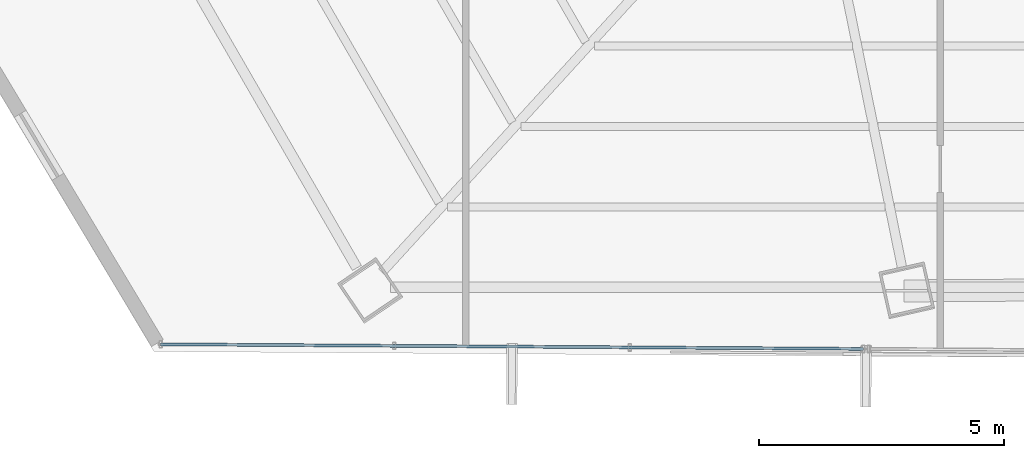
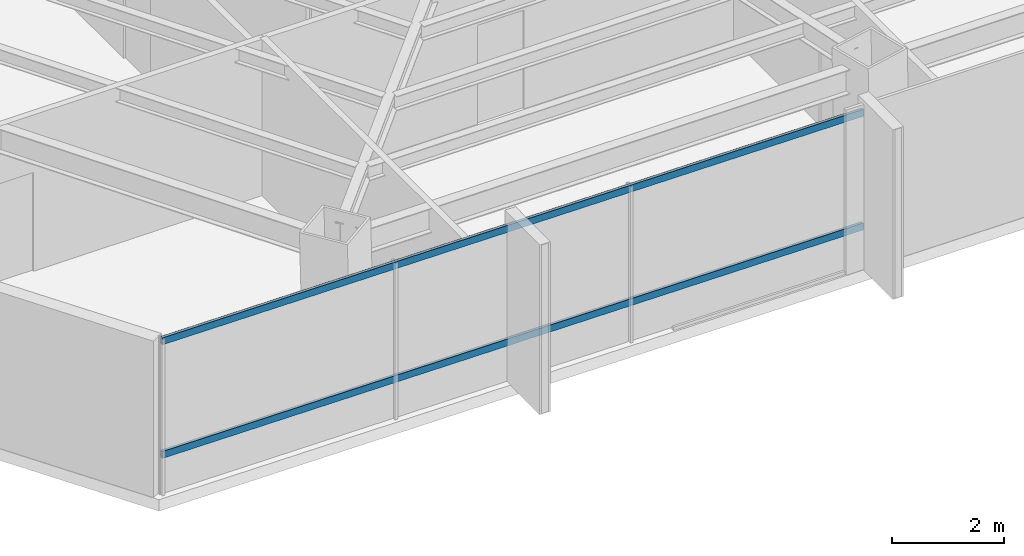
# One storey, part 3 of 41: 2 members, 1 element without a shape of its own.
"""IFC4 building model written with IfcOpenShell, lengths in metres."""

from ifc_helpers import new_model, si_unit, direction, frame, origin, origin_2d, place, context, subcontext, project, spatial, hollow_rectangle, extrude, source, transform, mapped, material, material_profile, profile_set, type_object, type_shapes, element, aggregate, save


model = new_model("IFC4")

# Units and contexts
model_context = context("Model", 3, precision=1e-05, world=origin(), true_north=direction((0.0, 1.0)))
body_context = subcontext(model_context, "Body", "Model", "MODEL_VIEW")
ifc_project = project(units=[si_unit("LENGTHUNIT", "METRE"), si_unit("AREAUNIT", "SQUARE_METRE"), si_unit("VOLUMEUNIT", "CUBIC_METRE"), si_unit("PLANEANGLEUNIT", "RADIAN"), si_unit("MASSUNIT", "GRAM", prefix="KILO")], contexts=[model_context])

# Site, building, storey
site_placement = place(None, origin())
site = spatial("IfcSite", under=ifc_project, at=site_placement, CompositionType="ELEMENT")
building_placement = place(site_placement, origin())
building = spatial("IfcBuilding", under=site, at=building_placement, Name="Caelisora Broadcast Tower", CompositionType="ELEMENT")
storey_placement = place(building_placement, frame((0.0, 0.0, 162.14990234375)))
storey = spatial("IfcBuildingStorey", under=building, at=storey_placement, Name="L42", CompositionType="ELEMENT", Elevation=162.14990234375)

# Curtain wall, members
ifc_material_1 = material(Name="Unitised Aluminium and Low-E Glass Curtain Wall", Category="glass")
curtain_wall_type = type_object("IfcCurtainWallType", Name="CW-Z3", PredefinedType="NOTDEFINED", material=ifc_material_1)
curtain_wall_placement = place(storey_placement, origin())
curtain_wall = element("IfcCurtainWall", 1, at=curtain_wall_placement, inside=storey, type_object=curtain_wall_type, Name="L42 curtain wall CW-Z3", PredefinedType="NOTDEFINED")
ifc_material_2 = material(Name="Aluminium 6063-T6 Anodised Terracotta Bronze", Category="aluminium")
ifc_material_profile = material_profile(ifc_material_2, hollow_rectangle(XDim=0.06005859375, YDim=0.14990234375, WallThickness=0.00341796875, at=origin_2d()), Name="Aluminium 6063-T6 Anodised Terracotta Bronze")
ifc_profile_set = profile_set([ifc_material_profile], Name="Aluminium 6063-T6 Anodised Terracotta Bronze")
member_type = type_object("IfcMemberType", Name="CWT-02", PredefinedType="USERDEFINED", material=ifc_profile_set)
shared_shape = source(origin(), body_context, "Body", "SweptSolid", [
    extrude(hollow_rectangle(XDim=0.06005859375, YDim=0.14990234375, WallThickness=0.00341796875, at=origin_2d()), origin(), (0.0, 0.0, 1.0), 14.366943359375),
])
type_shapes(member_type, [shared_shape])
member_1_placement = place(storey_placement, frame((31.630615234375, 6.27978515625, 0.85009765625), z_axis=(-0.999978598529, 0.006542360746, 0.0), x_axis=(-0.006542360746, -0.999978598529, 0.0)))
member_1 = element("IfcMember", 2, at=member_1_placement, type_object=member_type, Name="L42-CW-B07 transom #1", ObjectType="TRANSOM", PredefinedType="USERDEFINED", context=body_context, shape_type="MappedRepresentation", body=[
    mapped(shared_shape, transform((0.0, 0.0, 0.0), scale=1.0)),
])
member_2_placement = place(storey_placement, frame((31.630615234375, 6.27978515625, 3.320068359375), z_axis=(-0.999978598529, 0.006542360746, 0.0), x_axis=(-0.006542360746, -0.999978598529, 0.0)))
member_2 = element("IfcMember", 3, at=member_2_placement, type_object=member_type, Name="L42-CW-B07 transom #2", ObjectType="TRANSOM", PredefinedType="USERDEFINED", context=body_context, shape_type="MappedRepresentation", body=[
    mapped(shared_shape, transform((0.0, 0.0, 0.0), scale=1.0)),
])
aggregate(curtain_wall, [member_1, member_2])

save(model, "model.ifc")
